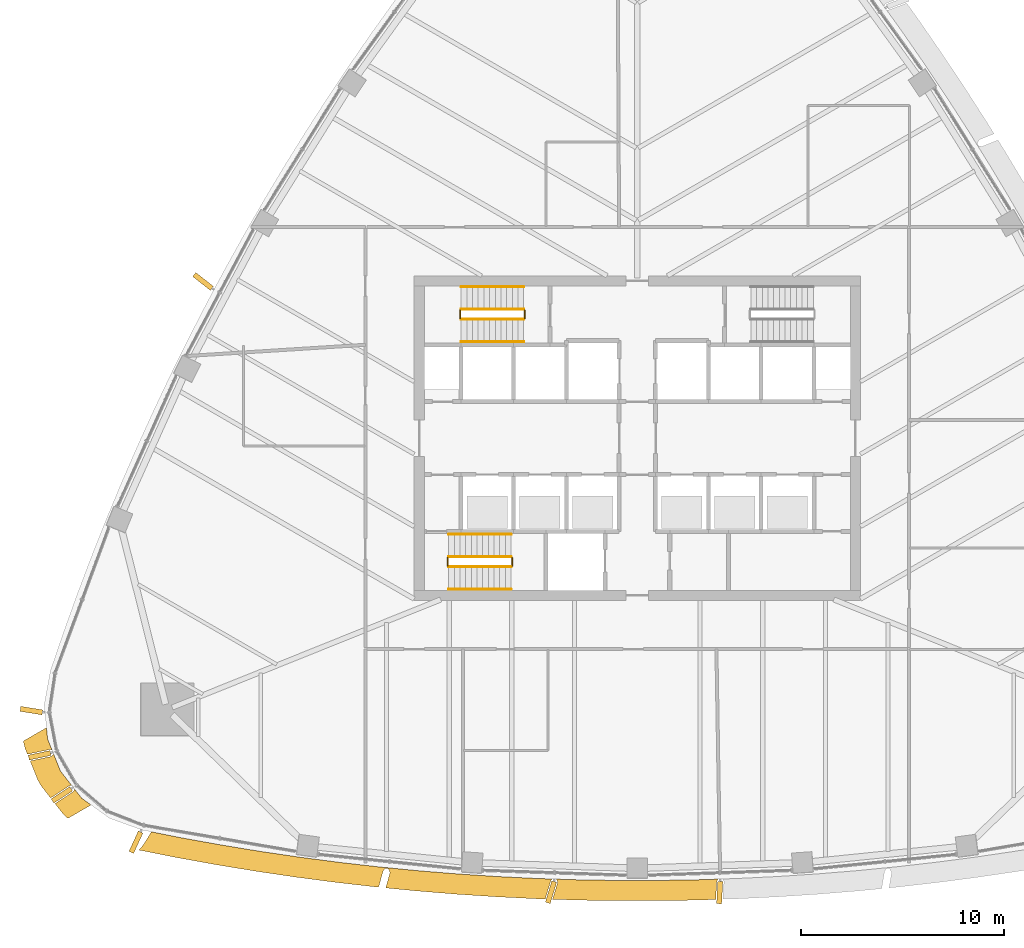
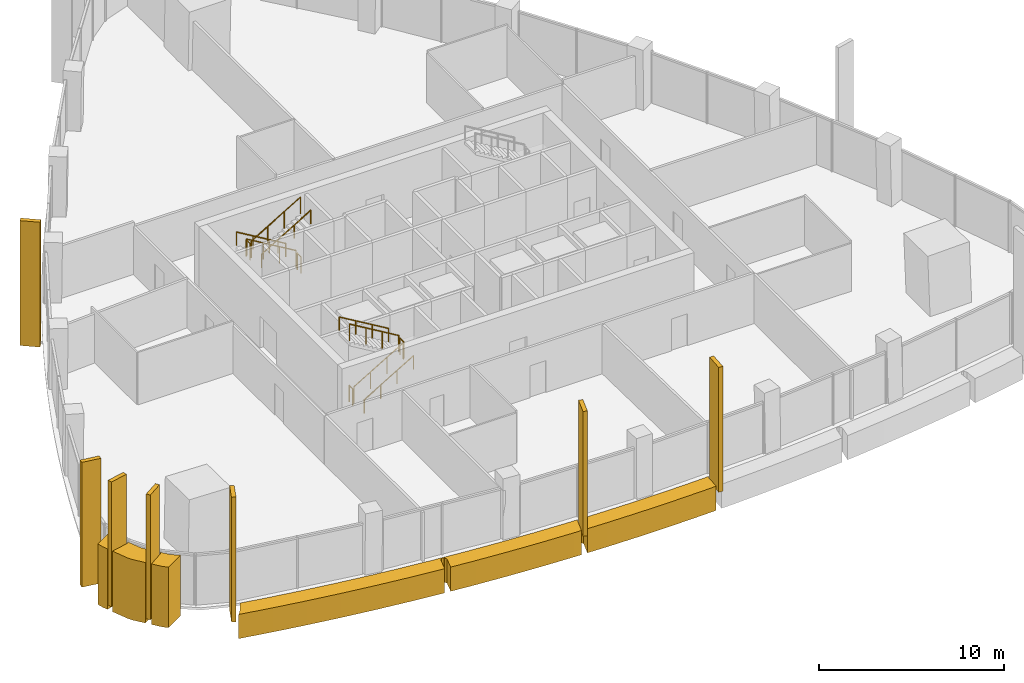
# One storey, part 16 of 19: 12 coverings, 12 railings.
"""IFC4 building model written with IfcOpenShell, lengths in metres."""

from ifc_helpers import new_model, si_unit, direction, frame, origin, origin_2d, place, context, subcontext, project, spatial, polyline, rectangle, circle, outline, extrude, material, layer, layer_set, material_profile, profile_set, type_object, element, save


model = new_model("IFC4")

# Units and contexts
model_context = context("Model", 3, precision=1e-05, world=origin(), true_north=direction((0.0, 1.0)))
body_context = subcontext(model_context, "Body", "Model", "MODEL_VIEW")
ifc_project = project(units=[si_unit("LENGTHUNIT", "METRE"), si_unit("AREAUNIT", "SQUARE_METRE"), si_unit("VOLUMEUNIT", "CUBIC_METRE"), si_unit("PLANEANGLEUNIT", "RADIAN"), si_unit("MASSUNIT", "GRAM", prefix="KILO")], contexts=[model_context])

# Site, building, storey
site_placement = place(None, origin())
site = spatial("IfcSite", under=ifc_project, at=site_placement, CompositionType="ELEMENT")
building_placement = place(site_placement, origin())
building = spatial("IfcBuilding", under=site, at=building_placement, Name="Sierra Prisma Convention Tower", CompositionType="ELEMENT")
storey_placement = place(building_placement, frame((0.0, 0.0, 193.800048828125)))
storey = spatial("IfcBuildingStorey", under=building, at=storey_placement, Name="L43", CompositionType="ELEMENT", Elevation=193.800048828125)

# Coverings
ifc_material_1 = material(Name="Aluminium composite bronze anodised", Category="aluminium")
ifc_layer_1 = layer(ifc_material_1, 1.199951171875)
ifc_layer_set_1 = layer_set([ifc_layer_1], Name="Bronze corner pier")
covering_type_1 = type_object("IfcCoveringType", Name="Bronze corner pier", PredefinedType="CLADDING", material=ifc_layer_set_1)
covering_1_placement = place(storey_placement, frame((0.0, 0.0, -0.60009765625)))
element("IfcCovering", 1, at=covering_1_placement, inside=storey, type_object=covering_type_1, Name="Corner pier SW L43.1", PredefinedType="CLADDING", context=body_context, shape_type="SweptSolid", body=[
    extrude(outline(polyline([(-28.087890625, -18.725830078125), (-28.330322265625, -18.49267578125), (-28.703125, -18.0166015625), (-27.807373046875, -17.433349609375), (-27.80322265625, -17.430419921875), (-27.799560546875, -17.427001953125), (-27.796142578125, -17.42333984375), (-27.793212890625, -17.41943359375), (-27.79052734375, -17.4150390625), (-27.788330078125, -17.410400390625), (-27.7421875, -17.29736328125), (-27.385498046875, -17.752685546875), (-26.9248046875, -18.08544921875), (-28.06396484375, -18.7431640625), (-28.087890625, -18.725830078125)])), origin(), (0.0, 0.0, 1.0), 4.0),
])
covering_2_placement = place(storey_placement, frame((0.0, 0.0, -0.60009765625)))
element("IfcCovering", 2, at=covering_2_placement, inside=storey, type_object=covering_type_1, Name="Corner pier SW L43.2", PredefinedType="CLADDING", context=body_context, shape_type="SweptSolid", body=[
    extrude(outline(polyline([(-29.37744140625, -17.1552734375), (-29.545654296875, -16.864013671875), (-29.9287109375, -15.912841796875), (-28.885986328125, -15.6923828125), (-28.881591796875, -15.691162109375), (-28.877197265625, -15.689697265625), (-28.872802734375, -15.687744140625), (-28.868896484375, -15.685302734375), (-28.864990234375, -15.6826171875), (-28.861572265625, -15.679443359375), (-28.8583984375, -15.676025390625), (-28.771240234375, -15.574951171875), (-28.4326171875, -16.41552734375), (-27.87646484375, -17.125732421875), (-27.974365234375, -17.132080078125), (-27.979248046875, -17.1328125), (-27.984375, -17.1337890625), (-27.9892578125, -17.135498046875), (-27.993896484375, -17.137451171875), (-27.998291015625, -17.14013671875), (-28.919677734375, -17.73974609375), (-29.37744140625, -17.1552734375)])), origin(), (0.0, 0.0, 1.0), 4.0),
])
covering_3_placement = place(storey_placement, frame((0.0, 0.0, -0.60009765625)))
element("IfcCovering", 3, at=covering_3_placement, inside=storey, type_object=covering_type_1, Name="Corner pier SW L43.3", PredefinedType="CLADDING", context=body_context, shape_type="SweptSolid", body=[
    extrude(outline(polyline([(-30.260986328125, -14.9619140625), (-30.263916015625, -14.9326171875), (-29.124755859375, -14.27490234375), (-29.067138671875, -14.840087890625), (-28.852783203125, -15.372314453125), (-28.935302734375, -15.3505859375), (-28.93994140625, -15.349609375), (-28.944580078125, -15.34912109375), (-28.94921875, -15.348876953125), (-28.953857421875, -15.34912109375), (-28.95849609375, -15.35009765625), (-30.03466796875, -15.57763671875), (-30.039306640625, -15.578857421875), (-30.0439453125, -15.58056640625), (-30.04833984375, -15.582763671875), (-30.052490234375, -15.585205078125), (-30.056396484375, -15.588134765625), (-30.05859375, -15.59033203125), (-30.18017578125, -15.28857421875), (-30.260986328125, -14.9619140625)])), origin(), (0.0, 0.0, 1.0), 4.0),
])
ifc_material_2 = material(Name="Aluminium 6063-T6 bronze anodised", Category="aluminium")
ifc_material_profile = material_profile(ifc_material_2, rectangle(XDim=1.10009765625, YDim=0.25, at=origin_2d()), Name="ALU FIN 1100x250")
ifc_profile_set = profile_set([ifc_material_profile], Name="Aluminium 6063-T6 bronze anodised")
covering_type_2 = type_object("IfcCoveringType", Name="Bronze facade fin", PredefinedType="CLADDING", material=ifc_profile_set)
for number, where, z_axis, x_axis, name in (
    (4, (-24.712890625, -19.920166015625, -0.300048828125), (0.0, 0.0, 1.0), (-0.417934788362, -0.908477029251, 0.0), "Fin L43.1"),
    (5, (-4.252197265625, -22.3818359375, -0.300048828125), (0.0, 0.0, 1.0), (-0.290087923474, -0.956999998252, 0.0), "Fin L43.8"),
    (6, (4.062744140625, -22.404541015625, -0.300048828125), (0.0, 0.0, 1.0), (-0.054719795498, -0.998501749613, 0.0), "Fin L43.11"),
    (7, (-21.40625, 7.722900390625, -0.300048828125), (0.0, 0.0, 1.0), (-0.786538764122, 0.617540907578, 0.0), "Fin L43.55"),
    (8, (-29.865234375, -13.432861328125, -0.300048828125), (0.0, 0.0, 1.0), (-0.987199147651, 0.159492453983, 0.0), "Fin L43.63"),
    (9, (-29.460205078125, -15.635009765625, -0.300048828125), (0.0, 0.0, 1.0), (-0.978361704798, -0.206901847707, 0.0), "Fin L43.64"),
    (10, (-28.36376953125, -17.586669921875, -0.300048828125), (0.0, 0.0, 1.0), (-0.83810789547, -0.545504496362, 0.0), "Fin L43.65"),
):
    element("IfcCovering", number, at=place(storey_placement, frame(where, z_axis=z_axis, x_axis=x_axis)), inside=storey, type_object=covering_type_2, Name=name, ObjectType="FIN", PredefinedType="CLADDING", context=body_context, shape_type="SweptSolid", body=[
        extrude(rectangle(XDim=1.10009765625, YDim=0.25, at=origin_2d()), origin(), (0.0, 0.0, 1.0), 8.25),
    ])
ifc_material_3 = material(Name="Aluminium composite bronze anodised", Category="aluminium")
ifc_layer_2 = layer(ifc_material_3, 1.0)
ifc_layer_set_2 = layer_set([ifc_layer_2], Name="Bronze spandrel band")
covering_type_3 = type_object("IfcCoveringType", Name="Bronze spandrel band", PredefinedType="CLADDING", material=ifc_layer_set_2)
covering_4_placement = place(storey_placement, frame((0.0, 0.0, -1.60009765625)))
element("IfcCovering", 11, at=covering_4_placement, inside=storey, type_object=covering_type_3, Name="Spandrel band L43.11", PredefinedType="CLADDING", context=body_context, shape_type="SweptSolid", body=[
    extrude(outline(polyline([(-3.98388671875, -21.739013671875), (-2.94921875, -21.772705078125), (-0.983154296875, -21.8046875), (0.983154296875, -21.8046875), (2.94921875, -21.772705078125), (3.978515625, -21.739013671875), (3.92578125, -21.82177734375), (3.923095703125, -21.826171875), (3.921142578125, -21.830810546875), (3.919677734375, -21.835693359375), (3.918701171875, -21.8408203125), (3.91796875, -21.845947265625), (3.868896484375, -22.7431640625), (2.981689453125, -22.772216796875), (2.96533203125, -22.7724609375), (0.99951171875, -22.804443359375), (0.983154296875, -22.8046875), (-0.983154296875, -22.8046875), (-0.99951171875, -22.804443359375), (-2.96533203125, -22.7724609375), (-2.981689453125, -22.772216796875), (-4.176025390625, -22.733154296875), (-3.92529296875, -21.90625), (-3.924072265625, -21.9013671875), (-3.92333984375, -21.896484375), (-3.923095703125, -21.8916015625), (-3.92333984375, -21.88671875), (-3.92431640625, -21.881591796875), (-3.92529296875, -21.876708984375), (-3.927001953125, -21.872314453125), (-3.98388671875, -21.739013671875)])), origin(), (0.0, 0.0, 1.0), 1.60009765625),
])
covering_5_placement = place(storey_placement, frame((0.0, 0.0, -1.60009765625)))
element("IfcCovering", 12, at=covering_5_placement, inside=storey, type_object=covering_type_3, Name="Spandrel band L43.12", PredefinedType="CLADDING", context=body_context, shape_type="SweptSolid", body=[
    extrude(outline(polyline([(-12.255859375, -21.252685546875), (-12.25830078125, -21.24853515625), (-12.26123046875, -21.244384765625), (-12.2646484375, -21.24072265625), (-12.268310546875, -21.2373046875), (-12.272216796875, -21.234375), (-12.276611328125, -21.231689453125), (-12.281005859375, -21.229736328125), (-12.28564453125, -21.22802734375), (-12.29052734375, -21.226806640625), (-12.29541015625, -21.22607421875), (-12.39501953125, -21.21630859375), (-12.400146484375, -21.216064453125), (-12.4052734375, -21.21630859375), (-12.410400390625, -21.21728515625), (-12.415283203125, -21.218505859375), (-12.420166015625, -21.220458984375), (-12.4248046875, -21.222900390625), (-12.42919921875, -21.2255859375), (-12.43310546875, -21.22900390625), (-12.436767578125, -21.232421875), (-12.51904296875, -21.3232421875), (-12.522216796875, -21.326904296875), (-12.524658203125, -21.33056640625), (-12.52685546875, -21.334716796875), (-12.52880859375, -21.339111328125), (-12.5302734375, -21.343505859375), (-12.752197265625, -22.13916015625), (-12.8544921875, -22.129150390625), (-12.87060546875, -22.127197265625), (-14.82421875, -21.904052734375), (-14.840087890625, -21.902099609375), (-16.789794921875, -21.64697265625), (-16.805908203125, -21.644775390625), (-18.751220703125, -21.358154296875), (-18.767333984375, -21.355712890625), (-20.70751953125, -21.037353515625), (-20.7236328125, -21.034423828125), (-22.658447265625, -20.684814453125), (-22.674560546875, -20.681640625), (-24.567626953125, -20.3076171875), (-24.535400390625, -20.275390625), (-24.379638671875, -20.0869140625), (-24.24267578125, -19.88427734375), (-23.95458984375, -19.409423828125), (-22.480712890625, -19.70068359375), (-20.545654296875, -20.050537109375), (-18.60546875, -20.368896484375), (-16.66015625, -20.655517578125), (-14.71044921875, -20.910400390625), (-12.757080078125, -21.1337890625), (-10.800048828125, -21.3251953125), (-8.84033203125, -21.485107421875), (-6.878173828125, -21.61279296875), (-4.914306640625, -21.708740234375), (-4.203125, -21.731689453125), (-4.250244140625, -21.78662109375), (-4.25341796875, -21.790771484375), (-4.256103515625, -21.795166015625), (-4.258544921875, -21.7998046875), (-4.26025390625, -21.8046875), (-4.5380859375, -22.721435546875), (-4.94677734375, -22.7080078125), (-4.963134765625, -22.70751953125), (-6.927001953125, -22.611572265625), (-6.943115234375, -22.610595703125), (-8.9052734375, -22.48291015625), (-8.92138671875, -22.481689453125), (-10.88134765625, -22.322021484375), (-10.8974609375, -22.320556640625), (-12.3984375, -22.173583984375), (-12.193115234375, -21.4375), (-12.192138671875, -21.432861328125), (-12.19140625, -21.42822265625), (-12.19140625, -21.423583984375), (-12.19140625, -21.4189453125), (-12.192138671875, -21.414306640625), (-12.193359375, -21.409912109375), (-12.19482421875, -21.405517578125), (-12.25390625, -21.25732421875), (-12.255859375, -21.252685546875)])), origin(), (0.0, 0.0, 1.0), 1.60009765625),
])

# Railings
ifc_material_4 = material(Name="Stainless steel", Category="steel")
railing_type_1 = type_object("IfcRailingType", Name="Exit stair handrail", PredefinedType="HANDRAIL", material=ifc_material_4)
railing_1_placement = place(storey_placement, frame((-9.300048828125, -7.449951171875, 0.16650390625)))
element("IfcRailing", 13, at=railing_1_placement, inside=storey, type_object=railing_type_1, Name="L43 S1 stair handrail 1", PredefinedType="HANDRAIL", context=body_context, shape_type="SweptSolid", body=[
    extrude(circle(Radius=0.02392578125, at=origin_2d()), frame((0.0, 0.0, 0.8759765625), z_axis=(0.85927862911, 0.0, 0.511507807912), x_axis=(0.0, 1.0, 0.0)), (0.0, 0.0, 1.0), 3.58447265625),
    extrude(circle(Radius=0.02099609375, at=origin_2d()), origin(), (0.0, 0.0, 1.0), 0.851806640625),
    extrude(circle(Radius=0.02099609375, at=origin_2d()), frame((1.026611328125, 0.0, 0.611083984375)), (0.0, 0.0, 1.0), 0.851806640625),
    extrude(circle(Radius=0.02099609375, at=origin_2d()), frame((2.053466796875, 0.0, 1.222412109375)), (0.0, 0.0, 1.0), 0.851806640625),
    extrude(circle(Radius=0.02099609375, at=origin_2d()), frame((3.080078125, 0.0, 1.83349609375)), (0.0, 0.0, 1.0), 0.851806640625),
])
railing_2_placement = place(storey_placement, frame((-6.219970703125, -4.75, 2.16650390625)))
element("IfcRailing", 14, at=railing_2_placement, inside=storey, type_object=railing_type_1, Name="L43 S1 stair handrail 2", PredefinedType="HANDRAIL", context=body_context, shape_type="SweptSolid", body=[
    extrude(circle(Radius=0.02392578125, at=origin_2d()), frame((0.0, 0.0, 0.8759765625), z_axis=(-0.85927862911, 0.0, 0.511507807912), x_axis=(0.0, -1.0, 0.0)), (0.0, 0.0, 1.0), 3.58447265625),
    extrude(circle(Radius=0.02099609375, at=origin_2d()), origin(), (0.0, 0.0, 1.0), 0.851806640625),
    extrude(circle(Radius=0.02099609375, at=origin_2d()), frame((-1.026611328125, 0.0, 0.611083984375)), (0.0, 0.0, 1.0), 0.851806640625),
    extrude(circle(Radius=0.02099609375, at=origin_2d()), frame((-2.053466796875, 0.0, 1.222412109375)), (0.0, 0.0, 1.0), 0.851806640625),
    extrude(circle(Radius=0.02099609375, at=origin_2d()), frame((-3.080078125, 0.0, 1.83349609375)), (0.0, 0.0, 1.0), 0.851806640625),
])
railing_3_placement = place(storey_placement, frame((-5.60009765625, 7.449951171875, 0.16650390625)))
element("IfcRailing", 15, at=railing_3_placement, inside=storey, type_object=railing_type_1, Name="L43 S3 stair handrail 1", PredefinedType="HANDRAIL", context=body_context, shape_type="SweptSolid", body=[
    extrude(circle(Radius=0.02392578125, at=origin_2d()), frame((0.0, 0.0, 0.8759765625), z_axis=(-0.859260807169, 0.0, 0.511537745687), x_axis=(0.0, -1.0, 0.0)), (0.0, 0.0, 1.0), 3.584228515625),
    extrude(circle(Radius=0.02099609375, at=origin_2d()), origin(), (0.0, 0.0, 1.0), 0.851806640625),
    extrude(circle(Radius=0.02099609375, at=origin_2d()), frame((-1.026611328125, 0.0, 0.611083984375)), (0.0, 0.0, 1.0), 0.851806640625),
    extrude(circle(Radius=0.02099609375, at=origin_2d()), frame((-2.05322265625, 0.0, 1.222412109375)), (0.0, 0.0, 1.0), 0.851806640625),
    extrude(circle(Radius=0.02099609375, at=origin_2d()), frame((-3.079833984375, 0.0, 1.83349609375)), (0.0, 0.0, 1.0), 0.851806640625),
])
railing_4_placement = place(storey_placement, frame((-8.679931640625, 4.75, 2.16650390625)))
element("IfcRailing", 16, at=railing_4_placement, inside=storey, type_object=railing_type_1, Name="L43 S3 stair handrail 2", PredefinedType="HANDRAIL", context=body_context, shape_type="SweptSolid", body=[
    extrude(circle(Radius=0.02392578125, at=origin_2d()), frame((0.0, 0.0, 0.8759765625), z_axis=(0.859260807169, 0.0, 0.511537745687), x_axis=(0.0, 1.0, 0.0)), (0.0, 0.0, 1.0), 3.584228515625),
    extrude(circle(Radius=0.02099609375, at=origin_2d()), origin(), (0.0, 0.0, 1.0), 0.851806640625),
    extrude(circle(Radius=0.02099609375, at=origin_2d()), frame((1.026611328125, 0.0, 0.611083984375)), (0.0, 0.0, 1.0), 0.851806640625),
    extrude(circle(Radius=0.02099609375, at=origin_2d()), frame((2.05322265625, 0.0, 1.222412109375)), (0.0, 0.0, 1.0), 0.851806640625),
    extrude(circle(Radius=0.02099609375, at=origin_2d()), frame((3.079833984375, 0.0, 1.83349609375)), (0.0, 0.0, 1.0), 0.851806640625),
])
ifc_material_5 = material(Name="Stainless steel", Category="steel")
railing_type_2 = type_object("IfcRailingType", Name="Stair guard 1100", PredefinedType="GUARDRAIL", material=ifc_material_5)
railing_5_placement = place(storey_placement, frame((-9.300048828125, -6.35009765625, 0.16650390625)))
element("IfcRailing", 17, at=railing_5_placement, inside=storey, type_object=railing_type_2, Name="L43 S1 stair guard 1", PredefinedType="GUARDRAIL", context=body_context, shape_type="SweptSolid", body=[
    extrude(circle(Radius=0.02392578125, at=origin_2d()), frame((0.0, 0.0, 1.076171875), z_axis=(0.85927862911, 0.0, 0.511507807912), x_axis=(0.0, 1.0, 0.0)), (0.0, 0.0, 1.0), 3.58447265625),
    extrude(circle(Radius=0.02099609375, at=origin_2d()), origin(), (0.0, 0.0, 1.0), 1.052001953125),
    extrude(circle(Radius=0.02099609375, at=origin_2d()), frame((1.026611328125, 0.0, 0.611083984375)), (0.0, 0.0, 1.0), 1.052001953125),
    extrude(circle(Radius=0.02099609375, at=origin_2d()), frame((2.053466796875, 0.0, 1.222412109375)), (0.0, 0.0, 1.0), 1.052001953125),
    extrude(circle(Radius=0.02099609375, at=origin_2d()), frame((3.080078125, 0.0, 1.83349609375)), (0.0, 0.0, 1.0), 1.052001953125),
])
railing_6_placement = place(storey_placement, frame((-6.169921875, -6.300048828125, 2.0)))
element("IfcRailing", 18, at=railing_6_placement, inside=storey, type_object=railing_type_2, Name="L43 S1 stair guard 2", PredefinedType="GUARDRAIL", context=body_context, shape_type="SweptSolid", body=[
    extrude(circle(Radius=0.02392578125, at=origin_2d()), frame((0.0, 0.0, 1.076171875), z_axis=(0.0, 1.0, 0.0), x_axis=(-1.0, 0.0, 0.0)), (0.0, 0.0, 1.0), 0.400146484375),
    extrude(circle(Radius=0.02099609375, at=origin_2d()), origin(), (0.0, 0.0, 1.0), 1.052001953125),
    extrude(circle(Radius=0.02099609375, at=origin_2d()), frame((0.0, 0.400146484375, 0.0)), (0.0, 0.0, 1.0), 1.052001953125),
])
railing_7_placement = place(storey_placement, frame((-6.219970703125, -5.85009765625, 2.16650390625)))
element("IfcRailing", 19, at=railing_7_placement, inside=storey, type_object=railing_type_2, Name="L43 S1 stair guard 3", PredefinedType="GUARDRAIL", context=body_context, shape_type="SweptSolid", body=[
    extrude(circle(Radius=0.02392578125, at=origin_2d()), frame((0.0, 0.0, 1.076171875), z_axis=(-0.85927862911, 0.0, 0.511507807912), x_axis=(0.0, -1.0, 0.0)), (0.0, 0.0, 1.0), 3.58447265625),
    extrude(circle(Radius=0.02099609375, at=origin_2d()), origin(), (0.0, 0.0, 1.0), 1.052001953125),
    extrude(circle(Radius=0.02099609375, at=origin_2d()), frame((-1.026611328125, 0.0, 0.611083984375)), (0.0, 0.0, 1.0), 1.052001953125),
    extrude(circle(Radius=0.02099609375, at=origin_2d()), frame((-2.053466796875, 0.0, 1.222412109375)), (0.0, 0.0, 1.0), 1.052001953125),
    extrude(circle(Radius=0.02099609375, at=origin_2d()), frame((-3.080078125, 0.0, 1.83349609375)), (0.0, 0.0, 1.0), 1.052001953125),
])
railing_8_placement = place(storey_placement, frame((-9.35009765625, -6.300048828125, 0.0)))
element("IfcRailing", 20, at=railing_8_placement, inside=storey, type_object=railing_type_2, Name="L43 S1 stair guard 4", PredefinedType="GUARDRAIL", context=body_context, shape_type="SweptSolid", body=[
    extrude(circle(Radius=0.02392578125, at=origin_2d()), frame((0.0, 0.0, 1.076171875), z_axis=(0.0, 1.0, 0.0), x_axis=(-1.0, 0.0, 0.0)), (0.0, 0.0, 1.0), 0.400146484375),
    extrude(circle(Radius=0.02099609375, at=origin_2d()), origin(), (0.0, 0.0, 1.0), 1.052001953125),
    extrude(circle(Radius=0.02099609375, at=origin_2d()), frame((0.0, 0.400146484375, 0.0)), (0.0, 0.0, 1.0), 1.052001953125),
])
railing_9_placement = place(storey_placement, frame((-5.60009765625, 6.35009765625, 0.16650390625)))
element("IfcRailing", 21, at=railing_9_placement, inside=storey, type_object=railing_type_2, Name="L43 S3 stair guard 1", PredefinedType="GUARDRAIL", context=body_context, shape_type="SweptSolid", body=[
    extrude(circle(Radius=0.02392578125, at=origin_2d()), frame((0.0, 0.0, 1.076171875), z_axis=(-0.859260807169, 0.0, 0.511537745687), x_axis=(0.0, -1.0, 0.0)), (0.0, 0.0, 1.0), 3.584228515625),
    extrude(circle(Radius=0.02099609375, at=origin_2d()), origin(), (0.0, 0.0, 1.0), 1.052001953125),
    extrude(circle(Radius=0.02099609375, at=origin_2d()), frame((-1.026611328125, 0.0, 0.611083984375)), (0.0, 0.0, 1.0), 1.052001953125),
    extrude(circle(Radius=0.02099609375, at=origin_2d()), frame((-2.05322265625, 0.0, 1.222412109375)), (0.0, 0.0, 1.0), 1.052001953125),
    extrude(circle(Radius=0.02099609375, at=origin_2d()), frame((-3.079833984375, 0.0, 1.83349609375)), (0.0, 0.0, 1.0), 1.052001953125),
])
railing_10_placement = place(storey_placement, frame((-8.72998046875, 6.300048828125, 2.0)))
element("IfcRailing", 22, at=railing_10_placement, inside=storey, type_object=railing_type_2, Name="L43 S3 stair guard 2", PredefinedType="GUARDRAIL", context=body_context, shape_type="SweptSolid", body=[
    extrude(circle(Radius=0.02392578125, at=origin_2d()), frame((0.0, 0.0, 1.076171875), z_axis=(0.0, -1.0, 0.0), x_axis=(1.0, 0.0, 0.0)), (0.0, 0.0, 1.0), 0.400146484375),
    extrude(circle(Radius=0.02099609375, at=origin_2d()), origin(), (0.0, 0.0, 1.0), 1.052001953125),
    extrude(circle(Radius=0.02099609375, at=origin_2d()), frame((0.0, -0.400146484375, 0.0)), (0.0, 0.0, 1.0), 1.052001953125),
])
railing_11_placement = place(storey_placement, frame((-8.679931640625, 5.85009765625, 2.16650390625)))
element("IfcRailing", 23, at=railing_11_placement, inside=storey, type_object=railing_type_2, Name="L43 S3 stair guard 3", PredefinedType="GUARDRAIL", context=body_context, shape_type="SweptSolid", body=[
    extrude(circle(Radius=0.02392578125, at=origin_2d()), frame((0.0, 0.0, 1.076171875), z_axis=(0.859260807169, 0.0, 0.511537745687), x_axis=(0.0, 1.0, 0.0)), (0.0, 0.0, 1.0), 3.584228515625),
    extrude(circle(Radius=0.02099609375, at=origin_2d()), origin(), (0.0, 0.0, 1.0), 1.052001953125),
    extrude(circle(Radius=0.02099609375, at=origin_2d()), frame((1.026611328125, 0.0, 0.611083984375)), (0.0, 0.0, 1.0), 1.052001953125),
    extrude(circle(Radius=0.02099609375, at=origin_2d()), frame((2.05322265625, 0.0, 1.222412109375)), (0.0, 0.0, 1.0), 1.052001953125),
    extrude(circle(Radius=0.02099609375, at=origin_2d()), frame((3.079833984375, 0.0, 1.83349609375)), (0.0, 0.0, 1.0), 1.052001953125),
])
railing_12_placement = place(storey_placement, frame((-5.550048828125, 6.300048828125, 0.0)))
element("IfcRailing", 24, at=railing_12_placement, inside=storey, type_object=railing_type_2, Name="L43 S3 stair guard 4", PredefinedType="GUARDRAIL", context=body_context, shape_type="SweptSolid", body=[
    extrude(circle(Radius=0.02392578125, at=origin_2d()), frame((0.0, 0.0, 1.076171875), z_axis=(0.0, -1.0, 0.0), x_axis=(1.0, 0.0, 0.0)), (0.0, 0.0, 1.0), 0.400146484375),
    extrude(circle(Radius=0.02099609375, at=origin_2d()), origin(), (0.0, 0.0, 1.0), 1.052001953125),
    extrude(circle(Radius=0.02099609375, at=origin_2d()), frame((0.0, -0.400146484375, 0.0)), (0.0, 0.0, 1.0), 1.052001953125),
])

save(model, "model.ifc")
